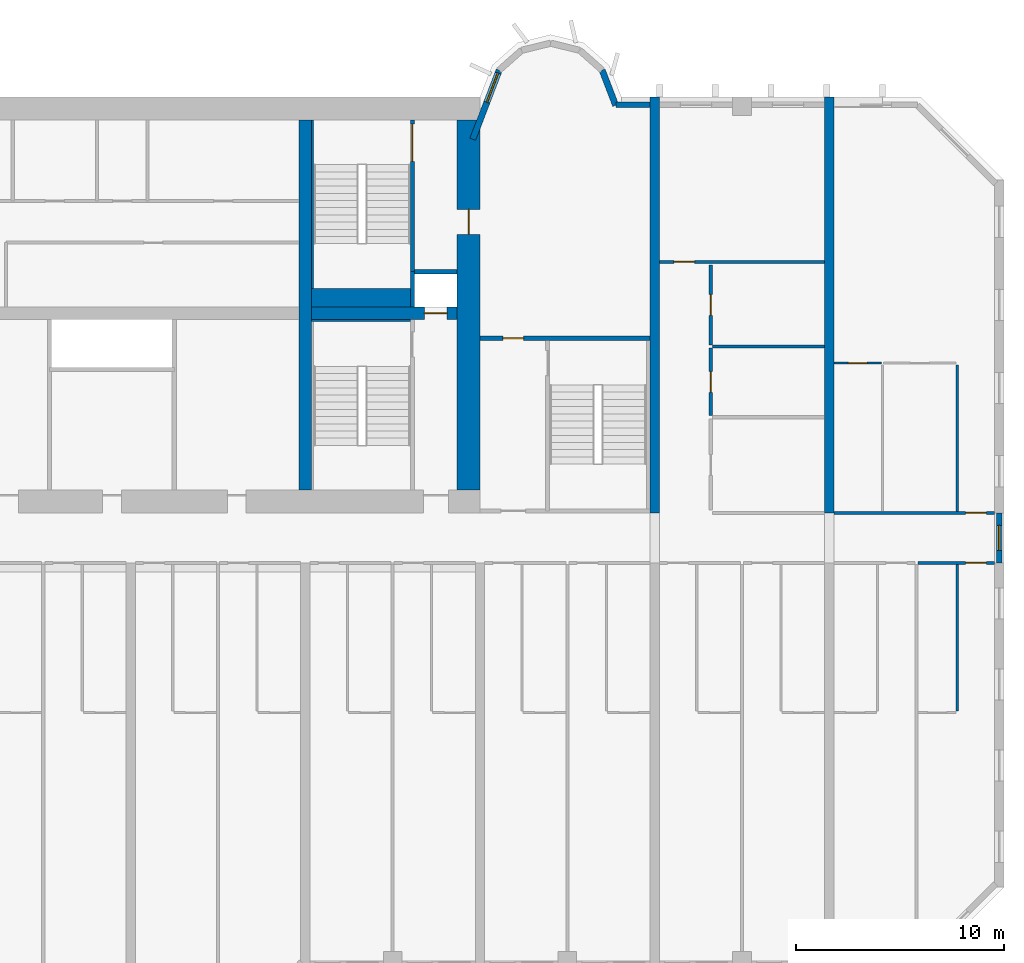
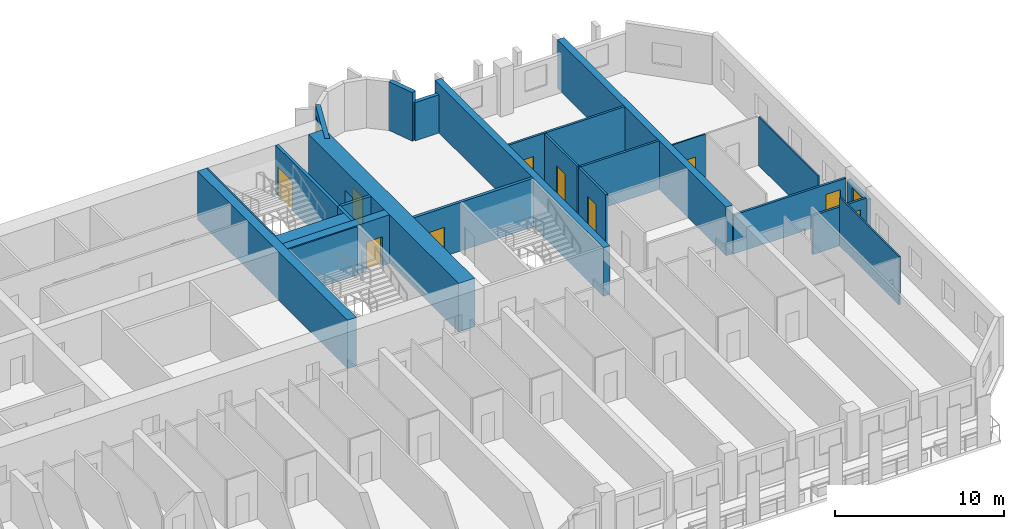
# One storey, part 10 of 15: 25 walls, 10 doors, 2 windows, 12 openings.
"""IFC4 building model written with IfcOpenShell, lengths in metres."""

from ifc_helpers import new_model, si_unit, direction, frame, frame_2d, origin, place, context, subcontext, project, spatial, rectangle, extrude, source, transform, mapped, material, layer, layer_set, type_object, element, fill, save


model = new_model("IFC4")

# Units and contexts
model_context = context("Model", 3, precision=1e-05, world=origin(), true_north=direction((0.0, 1.0)))
body_context = subcontext(model_context, "Body", "Model", "MODEL_VIEW")
ifc_project = project(units=[si_unit("LENGTHUNIT", "METRE"), si_unit("AREAUNIT", "SQUARE_METRE"), si_unit("VOLUMEUNIT", "CUBIC_METRE"), si_unit("PLANEANGLEUNIT", "RADIAN"), si_unit("MASSUNIT", "GRAM", prefix="KILO")], contexts=[model_context])

# Site, building, storey
site_placement = place(None, origin())
site = spatial("IfcSite", under=ifc_project, at=site_placement, CompositionType="ELEMENT")
building_placement = place(site_placement, origin())
building = spatial("IfcBuilding", under=site, at=building_placement, Name="Vanashikhar Sky Hotel", CompositionType="ELEMENT")
storey_placement = place(building_placement, frame((0.0, 0.0, 31.60009765625)))
storey = spatial("IfcBuildingStorey", under=building, at=storey_placement, Name="L06", CompositionType="ELEMENT", Elevation=31.60009765625)

# Wall, opening, door
ifc_material_1 = material(Name="Concrete M80", Category="concrete")
ifc_layer_1 = layer(ifc_material_1, 1.10009765625)
ifc_layer_set_1 = layer_set([ifc_layer_1], Name="RC core shell wall 1100 Concrete M80")
wall_type_1 = type_object("IfcWallType", Name="RC core shell wall 1100 Concrete M80", PredefinedType="SHEAR", material=ifc_layer_set_1)
shared_shape_1 = source(origin(), body_context, "Body", "SweptSolid", [
    extrude(rectangle(XDim=17.7998046875, YDim=1.10009765625, at=frame_2d((8.89990234375, 0.0))), origin(), (0.0, 0.0, 1.0), 3.52001953125),
])
wall_1_placement = place(storey_placement, frame((75.050048828125, 23.10009765625, 0.0), z_axis=(0.0, 0.0, 1.0), x_axis=(0.0, 1.0, 0.0)))
wall_1 = element("IfcWall", 1, at=wall_1_placement, inside=storey, type_object=wall_type_1, Name="KW-L06-KE", PredefinedType="SHEAR", context=body_context, shape_type="MappedRepresentation", body=[
    mapped(shared_shape_1, transform((0.0, 0.0, 0.0), scale=1.0)),
])
shared_shape_2 = source(origin(), body_context, "Body", "SweptSolid", [
    extrude(rectangle(XDim=1.199951171875, YDim=2.10009765625, at=frame_2d((0.60009765625, 1.050048828125))), frame((0.0, 0.56005859375, 0.0), z_axis=(0.0, -1.0, 0.0), x_axis=(1.0, 0.0, 0.0)), (0.0, 0.0, 1.0), 1.1201171875),
])
opening_1_placement = place(wall_1_placement, frame((12.300048828125, 0.0, 0.0)))
opening_1 = element("IfcOpeningElement", 2, at=opening_1_placement, cuts=wall_1, Name="Opening DC-4-D", PredefinedType="OPENING", context=body_context, shape_type="MappedRepresentation", body=[
    mapped(shared_shape_2, transform((0.0, 0.0, 0.0), scale=1.0)),
])
ifc_material_2 = material(Name="Steel", Category="steel")
door_type_1 = type_object("IfcDoorType", Name="Service door 1200 FD120", OperationType="NOTDEFINED", PredefinedType="DOOR", material=ifc_material_2)
shared_shape_3 = source(origin(), body_context, "Body", "SweptSolid", [
    extrude(rectangle(XDim=1.199951171875, YDim=2.10009765625, at=frame_2d((0.60009765625, 1.050048828125))), frame((0.0, 0.02490234375, 0.0), z_axis=(0.0, -1.0, 0.0), x_axis=(1.0, 0.0, 0.0)), (0.0, 0.0, 1.0), 0.050048828125),
])
door_1_placement = place(opening_1_placement, origin())
door_1 = element("IfcDoor", 3, at=door_1_placement, inside=storey, type_object=door_type_1, Name="Service door 1200 FD120", OperationType="SINGLE_SWING_RIGHT", OverallHeight=2.10009765625, OverallWidth=1.199951171875, PredefinedType="DOOR", context=body_context, shape_type="MappedRepresentation", body=[
    mapped(shared_shape_3, transform((0.0, 0.0, 0.0), scale=1.0)),
])
fill(opening_1, door_1)

# Wall
ifc_layer_2 = layer(ifc_material_1, 0.60009765625)
ifc_layer_set_2 = layer_set([ifc_layer_2], Name="RC core inner wall 600 Concrete M80")
wall_type_2 = type_object("IfcWallType", Name="RC core inner wall 600 Concrete M80", PredefinedType="SHEAR", material=ifc_layer_set_2)
shared_shape_4 = source(origin(), body_context, "Body", "SweptSolid", [
    extrude(rectangle(XDim=17.7998046875, YDim=0.60009765625, at=frame_2d((8.89990234375, 0.0))), origin(), (0.0, 0.0, 1.0), 3.52001953125),
])
wall_2_placement = place(storey_placement, frame((67.199951171875, 23.10009765625, 0.0), z_axis=(0.0, 0.0, 1.0), x_axis=(0.0, 1.0, 0.0)))
element("IfcWall", 4, at=wall_2_placement, inside=storey, type_object=wall_type_2, Name="KW-L06-KX3", PredefinedType="SHEAR", context=body_context, shape_type="MappedRepresentation", body=[
    mapped(shared_shape_4, transform((0.0, 0.0, 0.0), scale=1.0)),
])

# Wall, opening, door
shared_shape_5 = source(origin(), body_context, "Body", "SweptSolid", [
    extrude(rectangle(XDim=7.0, YDim=0.60009765625, at=frame_2d((3.5, 0.0))), origin(), (0.0, 0.0, 1.0), 3.52001953125),
])
wall_3_placement = place(storey_placement, frame((67.5, 31.60009765625, 0.0), z_axis=(0.0, 0.0, 1.0), x_axis=(1.0, 0.0, 0.0)))
wall_3 = element("IfcWall", 5, at=wall_3_placement, inside=storey, type_object=wall_type_2, Name="KW-L06-KY4", PredefinedType="SHEAR", context=body_context, shape_type="MappedRepresentation", body=[
    mapped(shared_shape_5, transform((0.0, 0.0, 0.0), scale=1.0)),
])
shared_shape_6 = source(origin(), body_context, "Body", "SweptSolid", [
    extrude(rectangle(XDim=1.10009765625, YDim=2.10009765625, at=frame_2d((0.550048828125, 1.050048828125))), frame((0.0, 0.31005859375, 0.0), z_axis=(0.0, -1.0, 0.0), x_axis=(1.0, 0.0, 0.0)), (0.0, 0.0, 1.0), 0.6201171875),
])
opening_2_placement = place(wall_3_placement, frame((5.425048828125, 0.0, 0.0)))
opening_2 = element("IfcOpeningElement", 6, at=opening_2_placement, cuts=wall_3, Name="Opening LD", PredefinedType="OPENING", context=body_context, shape_type="MappedRepresentation", body=[
    mapped(shared_shape_6, transform((0.0, 0.0, 0.0), scale=1.0)),
])
ifc_material_3 = material(Name="Stainless steel", Category="steel")
door_type_2 = type_object("IfcDoorType", Name="Lift landing door 1100", OperationType="NOTDEFINED", PredefinedType="DOOR", material=ifc_material_3)
shared_shape_7 = source(origin(), body_context, "Body", "SweptSolid", [
    extrude(rectangle(XDim=1.10009765625, YDim=2.10009765625, at=frame_2d((0.550048828125, 1.050048828125))), frame((0.0, 0.02490234375, 0.0), z_axis=(0.0, -1.0, 0.0), x_axis=(1.0, 0.0, 0.0)), (0.0, 0.0, 1.0), 0.050048828125),
])
door_2_placement = place(opening_2_placement, origin())
door_2 = element("IfcDoor", 7, at=door_2_placement, inside=storey, type_object=door_type_2, Name="Lift landing door 1100", OperationType="SLIDING_TO_RIGHT", OverallHeight=2.10009765625, OverallWidth=1.10009765625, PredefinedType="DOOR", context=body_context, shape_type="MappedRepresentation", body=[
    mapped(shared_shape_7, transform((0.0, 0.0, 0.0), scale=1.0)),
])
fill(opening_2, door_2)

# Walls
ifc_layer_3 = layer(ifc_material_1, 0.449951171875)
ifc_layer_set_3 = layer_set([ifc_layer_3], Name="RC shear wall 450 Concrete M80")
wall_type_3 = type_object("IfcWallType", Name="RC shear wall 450 Concrete M80", PredefinedType="SHEAR", material=ifc_layer_set_3)
shared_shape_8 = source(origin(), body_context, "Body", "SweptSolid", [
    extrude(rectangle(XDim=20.0, YDim=0.449951171875, at=frame_2d((10.0, 0.0))), origin(), (0.0, 0.0, 1.0), 3.52001953125),
])
for number, where, z_axis, x_axis, name in (
    (8, (84.0, 22.0, 0.0), (0.0, 0.0, 1.0), (0.0, 1.0, 0.0), "CW-L06-XW11-2"),
    (9, (92.39990234375, 22.0, 0.0), (0.0, 0.0, 1.0), (0.0, 1.0, 0.0), "CW-L06-XW12-2"),
):
    element("IfcWall", number, at=place(storey_placement, frame(where, z_axis=z_axis, x_axis=x_axis)), inside=storey, type_object=wall_type_3, Name=name, PredefinedType="SHEAR", context=body_context, shape_type="MappedRepresentation", body=[
        mapped(shared_shape_8, transform((0.0, 0.0, 0.0), scale=1.0)),
    ])

# Wall, opening, window
ifc_material_4 = material(Name="Concrete M50", Category="concrete")
ifc_layer_4 = layer(ifc_material_4, 0.300048828125)
ifc_layer_set_4 = layer_set([ifc_layer_4], Name="Lobe wall 300")
wall_type_4 = type_object("IfcWallType", Name="Lobe wall 300", PredefinedType="SOLIDWALL", material=ifc_layer_set_4)
shared_shape_9 = source(origin(), body_context, "Body", "SweptSolid", [
    extrude(rectangle(XDim=3.55908203125, YDim=0.300048828125, at=frame_2d((1.779541015625, 0.0))), origin(), (0.0, 0.0, 1.0), 3.52001953125),
])
wall_4_placement = place(storey_placement, frame((76.5234375, 43.2919921875, 0.0), z_axis=(0.0, 0.0, 1.0), x_axis=(-0.35779745313, -0.933799219604, 0.0)))
wall_4 = element("IfcWall", 10, at=wall_4_placement, inside=storey, type_object=wall_type_4, Name="Lobe wall", PredefinedType="SOLIDWALL", context=body_context, shape_type="MappedRepresentation", body=[
    mapped(shared_shape_9, transform((0.0, 0.0, 0.0), scale=1.0)),
])
shared_shape_10 = source(origin(), body_context, "Body", "SweptSolid", [
    extrude(rectangle(XDim=1.5, YDim=2.0, at=frame_2d((0.75, 1.0))), frame((0.0, 0.16015625, 0.0), z_axis=(0.0, -1.0, 0.0), x_axis=(1.0, 0.0, 0.0)), (0.0, 0.0, 1.0), 0.320068359375),
])
opening_3_placement = place(wall_4_placement, frame((0.156005859375, 0.0, 0.89990234375)))
opening_3 = element("IfcOpeningElement", 11, at=opening_3_placement, cuts=wall_4, Name="Opening WN-2", PredefinedType="OPENING", context=body_context, shape_type="MappedRepresentation", body=[
    mapped(shared_shape_10, transform((0.0, 0.0, 0.0), scale=1.0)),
])
ifc_material_5 = material(Name="Glass", Category="glass")
window_type_1 = type_object("IfcWindowType", Name="Lobe window 1500 x 2000", PartitioningType="SINGLE_PANEL", PredefinedType="WINDOW", material=ifc_material_5)
shared_shape_11 = source(origin(), body_context, "Body", "SweptSolid", [
    extrude(rectangle(XDim=1.5, YDim=2.0, at=frame_2d((0.75, 1.0))), frame((0.0, 0.030029296875, 0.0), z_axis=(0.0, -1.0, 0.0), x_axis=(1.0, 0.0, 0.0)), (0.0, 0.0, 1.0), 0.06005859375),
])
window_1_placement = place(opening_3_placement, origin())
window_1 = element("IfcWindow", 12, at=window_1_placement, inside=storey, type_object=window_type_1, Name="Window WN-2", OverallHeight=2.0, OverallWidth=1.5, PartitioningType="SINGLE_PANEL", PredefinedType="WINDOW", context=body_context, shape_type="MappedRepresentation", body=[
    mapped(shared_shape_11, transform((0.0, 0.0, 0.0), scale=1.0)),
])
fill(opening_3, window_1)

# Wall
shared_shape_12 = source(origin(), body_context, "Body", "SweptSolid", [
    extrude(rectangle(XDim=1.81201171875, YDim=0.300048828125, at=frame_2d((0.906005859375, 0.0))), origin(), (0.0, 0.0, 1.0), 3.52001953125),
])
wall_5_placement = place(storey_placement, frame((82.125, 41.60009765625, 0.0), z_axis=(0.0, 0.0, 1.0), x_axis=(-0.357877270961, 0.93376863244, 0.0)))
element("IfcWall", 13, at=wall_5_placement, inside=storey, type_object=wall_type_4, Name="Lobe wall", PredefinedType="SOLIDWALL", context=body_context, shape_type="MappedRepresentation", body=[
    mapped(shared_shape_12, transform((0.0, 0.0, 0.0), scale=1.0)),
])

# Wall, opening, window
ifc_layer_5 = layer(ifc_material_4, 0.25)
ifc_layer_set_5 = layer_set([ifc_layer_5], Name="Rear and end board-marked wall 250")
wall_type_5 = type_object("IfcWallType", Name="Rear and end board-marked wall 250", PredefinedType="SOLIDWALL", material=ifc_layer_set_5)
shared_shape_13 = source(origin(), body_context, "Body", "SweptSolid", [
    extrude(rectangle(XDim=2.39990234375, YDim=0.25, at=frame_2d((1.199951171875, 0.0))), origin(), (0.0, 0.0, 1.0), 2.619873046875),
])
wall_6_placement = place(storey_placement, frame((100.574951171875, 19.60009765625, 0.0), z_axis=(0.0, 0.0, 1.0), x_axis=(0.0, 1.0, 0.0)))
wall_6 = element("IfcWall", 14, at=wall_6_placement, inside=storey, type_object=wall_type_5, Name="End corridor infill wall", PredefinedType="SOLIDWALL", context=body_context, shape_type="MappedRepresentation", body=[
    mapped(shared_shape_13, transform((0.0, 0.0, 0.0), scale=1.0)),
])
shared_shape_14 = source(origin(), body_context, "Body", "SweptSolid", [
    extrude(rectangle(XDim=1.199951171875, YDim=1.5, at=frame_2d((0.60009765625, 0.75))), frame((0.0, 0.135009765625, 0.0), z_axis=(0.0, -1.0, 0.0), x_axis=(1.0, 0.0, 0.0)), (0.0, 0.0, 1.0), 0.27001953125),
])
opening_4_placement = place(wall_6_placement, frame((0.60009765625, 0.0, 0.89990234375)))
opening_4 = element("IfcOpeningElement", 15, at=opening_4_placement, cuts=wall_6, Name="Opening WN-3", PredefinedType="OPENING", context=body_context, shape_type="MappedRepresentation", body=[
    mapped(shared_shape_14, transform((0.0, 0.0, 0.0), scale=1.0)),
])
window_type_2 = type_object("IfcWindowType", Name="Corridor end window 1200 x 1500", PartitioningType="SINGLE_PANEL", PredefinedType="WINDOW", material=ifc_material_5)
shared_shape_15 = source(origin(), body_context, "Body", "SweptSolid", [
    extrude(rectangle(XDim=1.199951171875, YDim=1.5, at=frame_2d((0.60009765625, 0.75))), frame((0.0, 0.030029296875, 0.0), z_axis=(0.0, -1.0, 0.0), x_axis=(1.0, 0.0, 0.0)), (0.0, 0.0, 1.0), 0.06005859375),
])
window_2_placement = place(opening_4_placement, origin())
window_2 = element("IfcWindow", 16, at=window_2_placement, inside=storey, type_object=window_type_2, Name="Window WN-3", OverallHeight=1.5, OverallWidth=1.199951171875, PartitioningType="SINGLE_PANEL", PredefinedType="WINDOW", context=body_context, shape_type="MappedRepresentation", body=[
    mapped(shared_shape_15, transform((0.0, 0.0, 0.0), scale=1.0)),
])
fill(opening_4, window_2)

# Walls
shared_shape_16 = source(origin(), body_context, "Body", "SweptSolid", [
    extrude(rectangle(XDim=1.6328125, YDim=0.25, at=frame_2d((0.81640625, 0.0))), origin(), (0.0, 0.0, 1.0), 2.77001953125),
])
wall_7_placement = place(storey_placement, frame((83.77490234375, 41.625, 0.0), z_axis=(0.0, 0.0, 1.0), x_axis=(-1.0, 0.0, 0.0)))
element("IfcWall", 17, at=wall_7_placement, inside=storey, type_object=wall_type_5, Name="Rear board-marked wall", PredefinedType="SOLIDWALL", context=body_context, shape_type="MappedRepresentation", body=[
    mapped(shared_shape_16, transform((0.0, 0.0, 0.0), scale=1.0)),
])
ifc_material_6 = material(Name="Concrete M40", Category="concrete")
ifc_layer_6 = layer(ifc_material_6, 0.199951171875)
ifc_layer_set_6 = layer_set([ifc_layer_6], Name="Shaft wall 200")
wall_type_6 = type_object("IfcWallType", Name="Shaft wall 200", PredefinedType="SOLIDWALL", material=ifc_layer_set_6)
shared_shape_17 = source(origin(), body_context, "Body", "SweptSolid", [
    extrude(rectangle(XDim=1.7001953125, YDim=0.199951171875, at=frame_2d((0.85009765625, 0.0))), origin(), (0.0, 0.0, 1.0), 3.52001953125),
])
wall_8_placement = place(storey_placement, frame((72.35009765625, 31.89990234375, 0.0), z_axis=(0.0, 0.0, 1.0), x_axis=(0.0, 1.0, 0.0)))
element("IfcWall", 18, at=wall_8_placement, inside=storey, type_object=wall_type_6, Name="Shaft wall 200", PredefinedType="SOLIDWALL", context=body_context, shape_type="MappedRepresentation", body=[
    mapped(shared_shape_17, transform((0.0, 0.0, 0.0), scale=1.0)),
])

# Wall, opening, door
ifc_layer_7 = layer(ifc_material_4, 0.199951171875)
ifc_layer_set_7 = layer_set([ifc_layer_7], Name="Stair wall 200")
wall_type_7 = type_object("IfcWallType", Name="Stair wall 200", PredefinedType="SOLIDWALL", material=ifc_layer_set_7)
shared_shape_18 = source(origin(), body_context, "Body", "SweptSolid", [
    extrude(rectangle(XDim=7.2998046875, YDim=0.199951171875, at=frame_2d((3.64990234375, 0.0))), origin(), (0.0, 0.0, 1.0), 3.52001953125),
])
wall_9_placement = place(storey_placement, frame((72.35009765625, 33.60009765625, 0.0), z_axis=(0.0, 0.0, 1.0), x_axis=(0.0, 1.0, 0.0)))
wall_9 = element("IfcWall", 19, at=wall_9_placement, inside=storey, type_object=wall_type_7, Name="Stair wall 200", PredefinedType="SOLIDWALL", context=body_context, shape_type="MappedRepresentation", body=[
    mapped(shared_shape_18, transform((0.0, 0.0, 0.0), scale=1.0)),
])
shared_shape_19 = source(origin(), body_context, "Body", "SweptSolid", [
    extrude(rectangle(XDim=1.800048828125, YDim=2.10009765625, at=frame_2d((0.89990234375, 1.050048828125))), frame((0.0, 0.10986328125, 0.0), z_axis=(0.0, -1.0, 0.0), x_axis=(1.0, 0.0, 0.0)), (0.0, 0.0, 1.0), 0.219970703125),
])
opening_5_placement = place(wall_9_placement, frame((5.300048828125, 0.0, 0.0)))
opening_5 = element("IfcOpeningElement", 20, at=opening_5_placement, cuts=wall_9, Name="Opening DC-1-A", PredefinedType="OPENING", context=body_context, shape_type="MappedRepresentation", body=[
    mapped(shared_shape_19, transform((0.0, 0.0, 0.0), scale=1.0)),
])
door_type_3 = type_object("IfcDoorType", Name="Stair door 1800 FD120", OperationType="NOTDEFINED", PredefinedType="DOOR", material=ifc_material_2)
shared_shape_20 = source(origin(), body_context, "Body", "SweptSolid", [
    extrude(rectangle(XDim=1.800048828125, YDim=2.10009765625, at=frame_2d((0.89990234375, 1.050048828125))), frame((0.0, 0.02490234375, 0.0), z_axis=(0.0, -1.0, 0.0), x_axis=(1.0, 0.0, 0.0)), (0.0, 0.0, 1.0), 0.050048828125),
])
door_3_placement = place(opening_5_placement, origin())
door_3 = element("IfcDoor", 21, at=door_3_placement, inside=storey, type_object=door_type_3, Name="Stair door 1800 FD120", OperationType="SINGLE_SWING_LEFT", OverallHeight=2.10009765625, OverallWidth=1.800048828125, PredefinedType="DOOR", context=body_context, shape_type="MappedRepresentation", body=[
    mapped(shared_shape_20, transform((0.0, 0.0, 0.0), scale=1.0)),
])
fill(opening_5, door_3)

# Wall
shared_shape_21 = source(origin(), body_context, "Body", "SweptSolid", [
    extrude(rectangle(XDim=2.050048828125, YDim=0.199951171875, at=frame_2d((1.02490234375, 0.0))), origin(), (0.0, 0.0, 1.0), 3.52001953125),
])
wall_10_placement = place(storey_placement, frame((72.449951171875, 33.60009765625, 0.0), z_axis=(0.0, 0.0, 1.0), x_axis=(1.0, 0.0, 0.0)))
element("IfcWall", 22, at=wall_10_placement, inside=storey, type_object=wall_type_6, Name="Shaft wall 200", PredefinedType="SOLIDWALL", context=body_context, shape_type="MappedRepresentation", body=[
    mapped(shared_shape_21, transform((0.0, 0.0, 0.0), scale=1.0)),
])

# Wall, opening, door
shared_shape_22 = source(origin(), body_context, "Body", "SweptSolid", [
    extrude(rectangle(XDim=8.1748046875, YDim=0.199951171875, at=frame_2d((4.08740234375, 0.0))), origin(), (0.0, 0.0, 1.0), 3.52001953125),
])
wall_11_placement = place(storey_placement, frame((83.77490234375, 30.39990234375, 0.0), z_axis=(0.0, 0.0, 1.0), x_axis=(-1.0, 0.0, 0.0)))
wall_11 = element("IfcWall", 23, at=wall_11_placement, inside=storey, type_object=wall_type_7, Name="Stair wall 200", PredefinedType="SOLIDWALL", context=body_context, shape_type="MappedRepresentation", body=[
    mapped(shared_shape_22, transform((0.0, 0.0, 0.0), scale=1.0)),
])
shared_shape_23 = source(origin(), body_context, "Body", "SweptSolid", [
    extrude(rectangle(XDim=1.0, YDim=2.10009765625, at=frame_2d((0.5, 1.050048828125))), frame((0.0, 0.10986328125, 0.0), z_axis=(0.0, -1.0, 0.0), x_axis=(1.0, 0.0, 0.0)), (0.0, 0.0, 1.0), 0.219970703125),
])
opening_6_placement = place(wall_11_placement, frame((6.074951171875, 0.0, 0.0)))
opening_6 = element("IfcOpeningElement", 24, at=opening_6_placement, cuts=wall_11, Name="Opening DC-6", PredefinedType="OPENING", context=body_context, shape_type="MappedRepresentation", body=[
    mapped(shared_shape_23, transform((0.0, 0.0, 0.0), scale=1.0)),
])
door_type_4 = type_object("IfcDoorType", Name="Pocket door 1000 FD60", OperationType="NOTDEFINED", PredefinedType="DOOR", material=ifc_material_2)
shared_shape_24 = source(origin(), body_context, "Body", "SweptSolid", [
    extrude(rectangle(XDim=1.0, YDim=2.10009765625, at=frame_2d((0.5, 1.050048828125))), frame((0.0, 0.02490234375, 0.0), z_axis=(0.0, -1.0, 0.0), x_axis=(1.0, 0.0, 0.0)), (0.0, 0.0, 1.0), 0.050048828125),
])
door_4_placement = place(opening_6_placement, origin())
door_4 = element("IfcDoor", 25, at=door_4_placement, inside=storey, type_object=door_type_4, Name="Pocket door 1000 FD60", OperationType="SINGLE_SWING_RIGHT", OverallHeight=2.10009765625, OverallWidth=1.0, PredefinedType="DOOR", context=body_context, shape_type="MappedRepresentation", body=[
    mapped(shared_shape_24, transform((0.0, 0.0, 0.0), scale=1.0)),
])
fill(opening_6, door_4)

# Walls
ifc_layer_8 = layer(ifc_material_4, 0.10009765625)
ifc_layer_set_8 = layer_set([ifc_layer_8], Name="Stair infill wall 100")
wall_type_8 = type_object("IfcWallType", Name="Stair infill wall 100", PredefinedType="SOLIDWALL", material=ifc_layer_set_8)
shared_shape_25 = source(origin(), body_context, "Body", "SweptSolid", [
    extrude(rectangle(XDim=4.75, YDim=0.10009765625, at=frame_2d((2.375, 0.0))), origin(), (0.0, 0.0, 1.0), 3.52001953125),
])
wall_12_placement = place(storey_placement, frame((67.5, 31.25, 0.0), z_axis=(0.0, 0.0, 1.0), x_axis=(1.0, 0.0, 0.0)))
element("IfcWall", 26, at=wall_12_placement, inside=storey, type_object=wall_type_8, Name="Stair infill wall 100", PredefinedType="SOLIDWALL", context=body_context, shape_type="MappedRepresentation", body=[
    mapped(shared_shape_25, transform((0.0, 0.0, 0.0), scale=1.0)),
])
shared_shape_26 = source(origin(), body_context, "Body", "SweptSolid", [
    extrude(rectangle(XDim=8.099853515625, YDim=0.10009765625, at=frame_2d((4.0498046875, 0.0))), origin(), (0.0, 0.0, 1.0), 3.52001953125),
])
wall_13_placement = place(storey_placement, frame((67.550048828125, 32.800048828125, 0.0), z_axis=(0.0, 0.0, 1.0), x_axis=(0.0, 1.0, 0.0)))
element("IfcWall", 27, at=wall_13_placement, inside=storey, type_object=wall_type_8, Name="Stair infill wall 100", PredefinedType="SOLIDWALL", context=body_context, shape_type="MappedRepresentation", body=[
    mapped(shared_shape_26, transform((0.0, 0.0, 0.0), scale=1.0)),
])
ifc_layer_9 = layer(ifc_material_4, 0.89990234375)
ifc_layer_set_9 = layer_set([ifc_layer_9], Name="Stair infill wall 900")
wall_type_9 = type_object("IfcWallType", Name="Stair infill wall 900", PredefinedType="SOLIDWALL", material=ifc_layer_set_9)
shared_shape_27 = source(origin(), body_context, "Body", "SweptSolid", [
    extrude(rectangle(XDim=4.75, YDim=0.89990234375, at=frame_2d((2.375, 0.0))), origin(), (0.0, 0.0, 1.0), 3.52001953125),
])
wall_14_placement = place(storey_placement, frame((67.5, 32.35009765625, 0.0), z_axis=(0.0, 0.0, 1.0), x_axis=(1.0, 0.0, 0.0)))
element("IfcWall", 28, at=wall_14_placement, inside=storey, type_object=wall_type_9, Name="Stair infill wall 900", PredefinedType="SOLIDWALL", context=body_context, shape_type="MappedRepresentation", body=[
    mapped(shared_shape_27, transform((0.0, 0.0, 0.0), scale=1.0)),
])
ifc_material_7 = material(Name="Gypsum plasterboard partition")
ifc_layer_10 = layer(ifc_material_7, 0.10009765625)
ifc_layer_set_10 = layer_set([ifc_layer_10], Name="Wet room partition 100")
wall_type_10 = type_object("IfcWallType", Name="Wet room partition 100", PredefinedType="PARTITIONING", material=ifc_layer_set_10)
shared_shape_28 = source(origin(), body_context, "Body", "SweptSolid", [
    extrude(rectangle(XDim=7.0498046875, YDim=0.10009765625, at=frame_2d((3.52490234375, 0.0))), origin(), (0.0, 0.0, 1.0), 3.52001953125),
])
wall_15_placement = place(storey_placement, frame((98.550048828125, 12.47509765625, 0.0), z_axis=(0.0, 0.0, 1.0), x_axis=(0.0, 1.0, 0.0)))
element("IfcWall", 29, at=wall_15_placement, inside=storey, type_object=wall_type_10, Name="W-L06-PW081", PredefinedType="PARTITIONING", context=body_context, shape_type="MappedRepresentation", body=[
    mapped(shared_shape_28, transform((0.0, 0.0, 0.0), scale=1.0)),
])

# Wall, opening, door
ifc_layer_11 = layer(ifc_material_7, 0.14990234375)
ifc_layer_set_11 = layer_set([ifc_layer_11], Name="Corridor and demising partition 150")
wall_type_11 = type_object("IfcWallType", Name="Corridor and demising partition 150", PredefinedType="PARTITIONING", material=ifc_layer_set_11)
shared_shape_29 = source(origin(), body_context, "Body", "SweptSolid", [
    extrude(rectangle(XDim=3.25, YDim=0.14990234375, at=frame_2d((1.625, 0.0))), origin(), (0.0, 0.0, 1.0), 3.52001953125),
])
wall_16_placement = place(storey_placement, frame((86.699951171875, 26.675048828125, 0.0), z_axis=(0.0, 0.0, 1.0), x_axis=(0.0, 1.0, 0.0)))
wall_16 = element("IfcWall", 30, at=wall_16_placement, inside=storey, type_object=wall_type_11, Name="W-L06-PW104", PredefinedType="PARTITIONING", context=body_context, shape_type="MappedRepresentation", body=[
    mapped(shared_shape_29, transform((0.0, 0.0, 0.0), scale=1.0)),
])
shared_shape_30 = source(origin(), body_context, "Body", "SweptSolid", [
    extrude(rectangle(XDim=1.0, YDim=2.10009765625, at=frame_2d((0.5, 1.050048828125))), frame((0.0, 0.0849609375, 0.0), z_axis=(0.0, -1.0, 0.0), x_axis=(1.0, 0.0, 0.0)), (0.0, 0.0, 1.0), 0.169921875),
])
opening_7_placement = place(wall_16_placement, frame((1.125, 0.0, 0.0)))
opening_7 = element("IfcOpeningElement", 31, at=opening_7_placement, cuts=wall_16, Name="Opening D-01", PredefinedType="OPENING", context=body_context, shape_type="MappedRepresentation", body=[
    mapped(shared_shape_30, transform((0.0, 0.0, 0.0), scale=1.0)),
])
ifc_material_8 = material(Name="Timber fire door", Category="wood")
door_type_5 = type_object("IfcDoorType", Name="Guest entry door 1000 FD30S", OperationType="NOTDEFINED", PredefinedType="DOOR", material=ifc_material_8)
door_5_placement = place(opening_7_placement, origin())
door_5 = element("IfcDoor", 32, at=door_5_placement, inside=storey, type_object=door_type_5, Name="D-L06-058", OperationType="SINGLE_SWING_LEFT", OverallHeight=2.10009765625, OverallWidth=1.0, PredefinedType="DOOR", context=body_context, shape_type="MappedRepresentation", body=[
    mapped(shared_shape_24, transform((0.0, 0.0, 0.0), scale=1.0)),
])
fill(opening_7, door_5)

shared_shape_31 = source(origin(), body_context, "Body", "SweptSolid", [
    extrude(rectangle(XDim=3.85009765625, YDim=0.14990234375, at=frame_2d((1.925048828125, 0.0))), origin(), (0.0, 0.0, 1.0), 3.52001953125),
])
wall_17_placement = place(storey_placement, frame((86.699951171875, 30.074951171875, 0.0), z_axis=(0.0, 0.0, 1.0), x_axis=(0.0, 1.0, 0.0)))
wall_17 = element("IfcWall", 33, at=wall_17_placement, inside=storey, type_object=wall_type_11, Name="W-L06-PW106", PredefinedType="PARTITIONING", context=body_context, shape_type="MappedRepresentation", body=[
    mapped(shared_shape_31, transform((0.0, 0.0, 0.0), scale=1.0)),
])
opening_8_placement = place(wall_17_placement, frame((1.425048828125, 0.0, 0.0)))
opening_8 = element("IfcOpeningElement", 34, at=opening_8_placement, cuts=wall_17, Name="Opening D-01", PredefinedType="OPENING", context=body_context, shape_type="MappedRepresentation", body=[
    mapped(shared_shape_30, transform((0.0, 0.0, 0.0), scale=1.0)),
])
door_6_placement = place(opening_8_placement, origin())
door_6 = element("IfcDoor", 35, at=door_6_placement, inside=storey, type_object=door_type_5, Name="D-L06-059", OperationType="SINGLE_SWING_LEFT", OverallHeight=2.10009765625, OverallWidth=1.0, PredefinedType="DOOR", context=body_context, shape_type="MappedRepresentation", body=[
    mapped(shared_shape_24, transform((0.0, 0.0, 0.0), scale=1.0)),
])
fill(opening_8, door_6)

# Wall
shared_shape_32 = source(origin(), body_context, "Body", "SweptSolid", [
    extrude(rectangle(XDim=7.050048828125, YDim=0.10009765625, at=frame_2d((3.52490234375, 0.0))), origin(), (0.0, 0.0, 1.0), 3.52001953125),
])
wall_18_placement = place(storey_placement, frame((98.550048828125, 22.074951171875, 0.0), z_axis=(0.0, 0.0, 1.0), x_axis=(0.0, 1.0, 0.0)))
element("IfcWall", 36, at=wall_18_placement, inside=storey, type_object=wall_type_10, Name="W-L06-PW108", PredefinedType="PARTITIONING", context=body_context, shape_type="MappedRepresentation", body=[
    mapped(shared_shape_32, transform((0.0, 0.0, 0.0), scale=1.0)),
])

# Wall, opening, door
shared_shape_33 = source(origin(), body_context, "Body", "SweptSolid", [
    extrude(rectangle(XDim=2.27490234375, YDim=0.10009765625, at=frame_2d((1.137451171875, 0.0))), origin(), (0.0, 0.0, 1.0), 3.52001953125),
])
wall_19_placement = place(storey_placement, frame((92.625, 29.199951171875, 0.0), z_axis=(0.0, 0.0, 1.0), x_axis=(1.0, 0.0, 0.0)))
wall_19 = element("IfcWall", 37, at=wall_19_placement, inside=storey, type_object=wall_type_10, Name="W-L06-PW111", PredefinedType="PARTITIONING", context=body_context, shape_type="MappedRepresentation", body=[
    mapped(shared_shape_33, transform((0.0, 0.0, 0.0), scale=1.0)),
])
shared_shape_34 = source(origin(), body_context, "Body", "SweptSolid", [
    extrude(rectangle(XDim=0.89990234375, YDim=2.10009765625, at=frame_2d((0.449951171875, 1.050048828125))), frame((0.0, 0.06005859375, 0.0), z_axis=(0.0, -1.0, 0.0), x_axis=(1.0, 0.0, 0.0)), (0.0, 0.0, 1.0), 0.1201171875),
])
opening_9_placement = place(wall_19_placement, frame((0.68798828125, 0.0, 0.0)))
opening_9 = element("IfcOpeningElement", 38, at=opening_9_placement, cuts=wall_19, Name="Opening D-02", PredefinedType="OPENING", context=body_context, shape_type="MappedRepresentation", body=[
    mapped(shared_shape_34, transform((0.0, 0.0, 0.0), scale=1.0)),
])
ifc_material_9 = material(Name="Timber door", Category="wood")
door_type_6 = type_object("IfcDoorType", Name="Internal door 900", OperationType="NOTDEFINED", PredefinedType="DOOR", material=ifc_material_9)
shared_shape_35 = source(origin(), body_context, "Body", "SweptSolid", [
    extrude(rectangle(XDim=0.89990234375, YDim=2.10009765625, at=frame_2d((0.449951171875, 1.050048828125))), frame((0.0, 0.02490234375, 0.0), z_axis=(0.0, -1.0, 0.0), x_axis=(1.0, 0.0, 0.0)), (0.0, 0.0, 1.0), 0.050048828125),
])
door_7_placement = place(opening_9_placement, origin())
door_7 = element("IfcDoor", 39, at=door_7_placement, inside=storey, type_object=door_type_6, Name="D-L06-062", OperationType="SINGLE_SWING_RIGHT", OverallHeight=2.10009765625, OverallWidth=0.89990234375, PredefinedType="DOOR", context=body_context, shape_type="MappedRepresentation", body=[
    mapped(shared_shape_35, transform((0.0, 0.0, 0.0), scale=1.0)),
])
fill(opening_9, door_7)

shared_shape_36 = source(origin(), body_context, "Body", "SweptSolid", [
    extrude(rectangle(XDim=3.675048828125, YDim=0.14990234375, at=frame_2d((1.83740234375, 0.0))), origin(), (0.0, 0.0, 1.0), 2.81982421875),
])
wall_20_placement = place(storey_placement, frame((96.675048828125, 19.60009765625, 0.0), z_axis=(0.0, 0.0, 1.0), x_axis=(1.0, 0.0, 0.0)))
wall_20 = element("IfcWall", 40, at=wall_20_placement, inside=storey, type_object=wall_type_11, Name="W-L06-PW083", PredefinedType="PARTITIONING", context=body_context, shape_type="MappedRepresentation", body=[
    mapped(shared_shape_36, transform((0.0, 0.0, 0.0), scale=1.0)),
])
opening_10_placement = place(wall_20_placement, frame((2.27490234375, 0.0, 0.0)))
opening_10 = element("IfcOpeningElement", 41, at=opening_10_placement, cuts=wall_20, Name="Opening D-01", PredefinedType="OPENING", context=body_context, shape_type="MappedRepresentation", body=[
    mapped(shared_shape_30, transform((0.0, 0.0, 0.0), scale=1.0)),
])
door_8_placement = place(opening_10_placement, origin())
door_8 = element("IfcDoor", 42, at=door_8_placement, inside=storey, type_object=door_type_5, Name="D-L06-048", OperationType="SINGLE_SWING_RIGHT", OverallHeight=2.10009765625, OverallWidth=1.0, PredefinedType="DOOR", context=body_context, shape_type="MappedRepresentation", body=[
    mapped(shared_shape_24, transform((0.0, 0.0, 0.0), scale=1.0)),
])
fill(opening_10, door_8)

# Wall
shared_shape_37 = source(origin(), body_context, "Body", "SweptSolid", [
    extrude(rectangle(XDim=5.400146484375, YDim=0.14990234375, at=frame_2d((2.7001953125, 0.0))), origin(), (0.0, 0.0, 1.0), 3.52001953125),
])
wall_21_placement = place(storey_placement, frame((86.77490234375, 30.0, 0.0), z_axis=(0.0, 0.0, 1.0), x_axis=(1.0, 0.0, 0.0)))
element("IfcWall", 43, at=wall_21_placement, inside=storey, type_object=wall_type_11, Name="W-L06-PW105", PredefinedType="PARTITIONING", context=body_context, shape_type="MappedRepresentation", body=[
    mapped(shared_shape_37, transform((0.0, 0.0, 0.0), scale=1.0)),
])

# Wall, opening, door
shared_shape_38 = source(origin(), body_context, "Body", "SweptSolid", [
    extrude(rectangle(XDim=7.949951171875, YDim=0.14990234375, at=frame_2d((3.97509765625, 0.0))), origin(), (0.0, 0.0, 1.0), 3.52001953125),
])
wall_22_placement = place(storey_placement, frame((84.22509765625, 34.074951171875, 0.0), z_axis=(0.0, 0.0, 1.0), x_axis=(1.0, 0.0, 0.0)))
wall_22 = element("IfcWall", 44, at=wall_22_placement, inside=storey, type_object=wall_type_11, Name="W-L06-PW107", PredefinedType="PARTITIONING", context=body_context, shape_type="MappedRepresentation", body=[
    mapped(shared_shape_38, transform((0.0, 0.0, 0.0), scale=1.0)),
])
opening_11_placement = place(wall_22_placement, frame((0.699951171875, 0.0, 0.0)))
opening_11 = element("IfcOpeningElement", 45, at=opening_11_placement, cuts=wall_22, Name="Opening D-01", PredefinedType="OPENING", context=body_context, shape_type="MappedRepresentation", body=[
    mapped(shared_shape_30, transform((0.0, 0.0, 0.0), scale=1.0)),
])
door_9_placement = place(opening_11_placement, origin())
door_9 = element("IfcDoor", 46, at=door_9_placement, inside=storey, type_object=door_type_5, Name="D-L06-060", OperationType="SINGLE_SWING_LEFT", OverallHeight=2.10009765625, OverallWidth=1.0, PredefinedType="DOOR", context=body_context, shape_type="MappedRepresentation", body=[
    mapped(shared_shape_24, transform((0.0, 0.0, 0.0), scale=1.0)),
])
fill(opening_11, door_9)

shared_shape_39 = source(origin(), body_context, "Body", "SweptSolid", [
    extrude(rectangle(XDim=7.72509765625, YDim=0.14990234375, at=frame_2d((3.862548828125, 0.0))), origin(), (0.0, 0.0, 1.0), 2.81982421875),
])
wall_23_placement = place(storey_placement, frame((92.625, 22.0, 0.0), z_axis=(0.0, 0.0, 1.0), x_axis=(1.0, 0.0, 0.0)))
wall_23 = element("IfcWall", 47, at=wall_23_placement, inside=storey, type_object=wall_type_11, Name="W-L06-PW112", PredefinedType="PARTITIONING", context=body_context, shape_type="MappedRepresentation", body=[
    mapped(shared_shape_39, transform((0.0, 0.0, 0.0), scale=1.0)),
])
opening_12_placement = place(wall_23_placement, frame((6.324951171875, 0.0, 0.0)))
opening_12 = element("IfcOpeningElement", 48, at=opening_12_placement, cuts=wall_23, Name="Opening D-01", PredefinedType="OPENING", context=body_context, shape_type="MappedRepresentation", body=[
    mapped(shared_shape_30, transform((0.0, 0.0, 0.0), scale=1.0)),
])
door_10_placement = place(opening_12_placement, origin())
door_10 = element("IfcDoor", 49, at=door_10_placement, inside=storey, type_object=door_type_5, Name="D-L06-063", OperationType="SINGLE_SWING_RIGHT", OverallHeight=2.10009765625, OverallWidth=1.0, PredefinedType="DOOR", context=body_context, shape_type="MappedRepresentation", body=[
    mapped(shared_shape_24, transform((0.0, 0.0, 0.0), scale=1.0)),
])
fill(opening_12, door_10)

save(model, "model.ifc")
